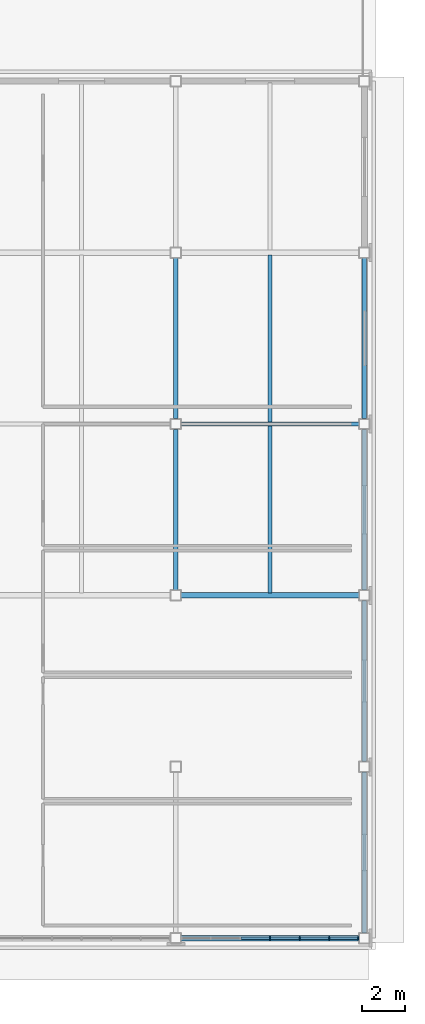
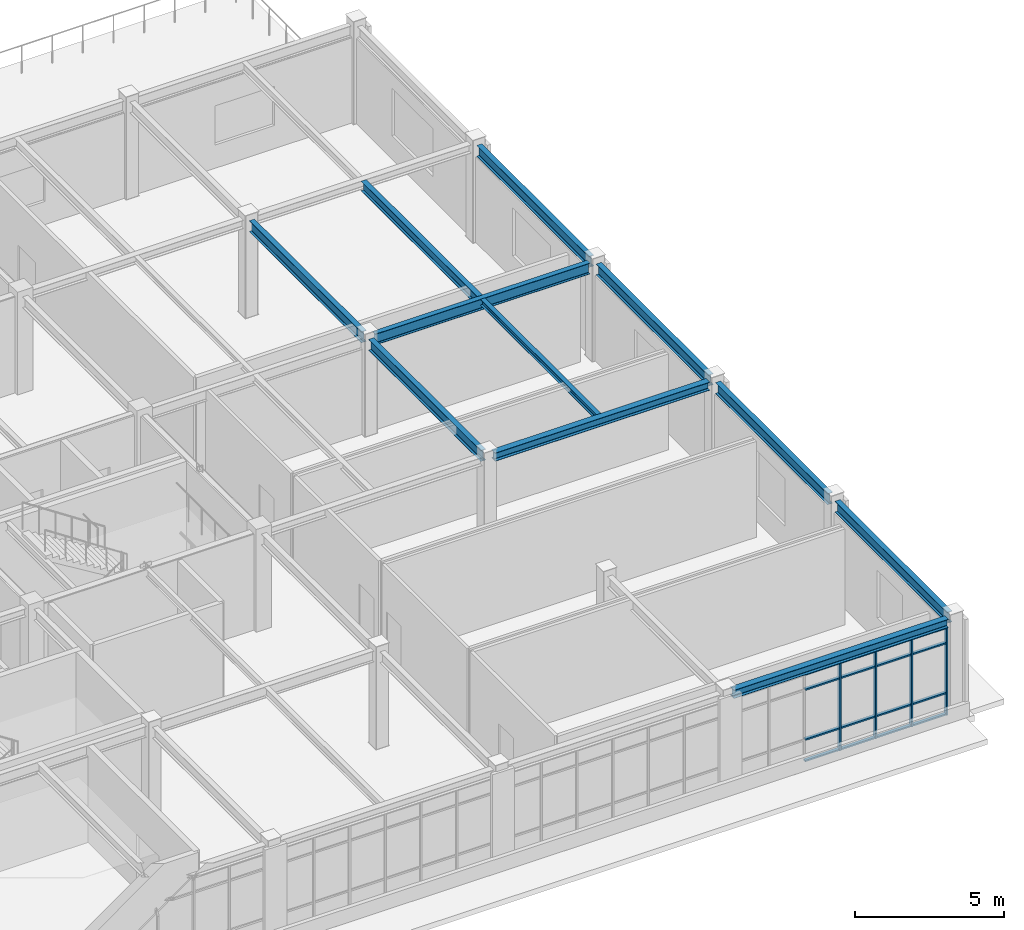
# One storey, part 7 of 22: 20 members, 11 beams, 1 element without a shape of its own.
"""IFC4 building model written with IfcOpenShell, lengths in metres."""

import ifcopenshell
import ifcopenshell.guid

model = None  # the IFC model being written
_history = None  # IfcOwnerHistory: only IFC2X3 demands one
_inside = {}  # id of a spatial element -> (the spatial element, [elements in it])
_under = {}  # id of a project, library or spatial element -> (it, [spatial elements below it])
_declared = {}  # id of a project -> (the project, [libraries it declares])
_typed = {}  # id of a type object -> (the type object, [elements of that type])
_made_of = {}  # id of a material, layer set ... -> (it, [elements and type objects made of it])


def new_model(schema):
    """Start an empty IFC model of exactly this schema.

    Asked for "IFC4X3", IfcOpenShell would pick the latest addendum, in which some entities
    have other attributes; the version numbers below select the first issue.
    IFC2X3 requires an IfcOwnerHistory on every rooted entity: one is made here for all.
    """
    global model, _history
    if schema == "IFC4X3":
        model = ifcopenshell.file(schema_version=(4, 3, 0, 0))
    else:
        model = ifcopenshell.file(schema=schema)
    _inside.clear()
    _under.clear()
    _declared.clear()
    _typed.clear()
    _made_of.clear()
    _history = None
    if model.schema == "IFC2X3":
        org = make("IfcOrganization", Name="unknown")
        user = make(
            "IfcPersonAndOrganization",
            ThePerson=make("IfcPerson", FamilyName="unknown"),
            TheOrganization=org,
        )
        app = make(
            "IfcApplication",
            ApplicationDeveloper=org,
            Version="unknown",
            ApplicationFullName="unknown",
            ApplicationIdentifier="unknown",
        )
        _history = make(
            "IfcOwnerHistory",
            OwningUser=user,
            OwningApplication=app,
            ChangeAction="ADDED",
            CreationDate=0,
        )
    return model


def make(cls, **values):
    """One entity of the class cls with the attributes given. An attribute that is None is left unset."""
    return model.create_entity(
        cls, **{name: value for name, value in values.items() if value is not None}
    )


def rooted(cls, **values):
    """An entity with a GlobalId (a new one), such as an element, a storey or a relation."""
    return make(cls, GlobalId=ifcopenshell.guid.new(), OwnerHistory=_history, **values)


def si_unit(unit_type, name, prefix=None):
    """IfcSIUnit, for example si_unit("LENGTHUNIT", "METRE", prefix="MILLI")."""
    return make("IfcSIUnit", UnitType=unit_type, Prefix=prefix, Name=name)


def assignment(units):
    """IfcUnitAssignment: the units of a project."""
    return None if units is None else make("IfcUnitAssignment", Units=units)


def point(xyz):
    """IfcCartesianPoint."""
    return None if xyz is None else make("IfcCartesianPoint", Coordinates=xyz)


def direction(xyz):
    """IfcDirection."""
    return None if xyz is None else make("IfcDirection", DirectionRatios=xyz)


def frame(location, z_axis=None, x_axis=None):
    """IfcAxis2Placement3D, a coordinate frame: its origin and axes. An axis left out is left unset."""
    return make(
        "IfcAxis2Placement3D",
        Location=point(location),
        Axis=direction(z_axis),
        RefDirection=direction(x_axis),
    )


def frame_2d(location, x_axis=None):
    """IfcAxis2Placement2D, a coordinate frame in the plane: its origin and x axis."""
    return make(
        "IfcAxis2Placement2D", Location=point(location), RefDirection=direction(x_axis)
    )


def origin():
    """The frame at (0, 0, 0) with its axes left unset."""
    return frame((0.0, 0.0, 0.0))


def origin_2d():
    """The frame at (0, 0) in the plane with its x axis left unset."""
    return frame_2d((0.0, 0.0))


def place(relative_to, where):
    """IfcLocalPlacement: puts the frame where relative to a parent placement (None: the world)."""
    return make(
        "IfcLocalPlacement", PlacementRelTo=relative_to, RelativePlacement=where
    )


def context(
    kind, dimensions, precision=None, world=None, true_north=None, identifier=None
):
    """IfcGeometricRepresentationContext, for example the 3D "Model" context."""
    return make(
        "IfcGeometricRepresentationContext",
        ContextIdentifier=identifier,
        ContextType=kind,
        CoordinateSpaceDimension=dimensions,
        Precision=precision,
        WorldCoordinateSystem=world,
        TrueNorth=true_north,
    )


def subcontext(parent, identifier, kind, view, scale=None):
    """IfcGeometricRepresentationSubContext, for example "Body" below "Model"."""
    return make(
        "IfcGeometricRepresentationSubContext",
        ContextIdentifier=identifier,
        ContextType=kind,
        ParentContext=parent,
        TargetScale=scale,
        TargetView=view,
    )


def project(units=None, contexts=None):
    """IfcProject with its units and contexts."""
    return rooted(
        "IfcProject",
        Name="project",
        RepresentationContexts=contexts,
        UnitsInContext=assignment(units),
    )


def spatial(cls, under=None, at=None, **own):
    """A site, building, storey or space (cls), placed at a placement, below another one or the project."""
    s = rooted(cls, ObjectPlacement=at, **own)
    if under is not None:
        _under.setdefault(under.id(), (under, []))[1].append(s)
    return s


def profile(cls, at=None, kind="AREA", **sizes):
    """A parametric profile (cls). Its sizes go by their IFC names, for example OverallWidth=200.0."""
    return make(cls, ProfileType=kind, Position=at, **sizes)


def rectangle(**sizes):
    """IfcRectangleProfileDef."""
    return profile("IfcRectangleProfileDef", **sizes)


def i_section(**sizes):
    """IfcIShapeProfileDef."""
    return profile("IfcIShapeProfileDef", **sizes)


def extrude(swept, where, along, depth):
    """IfcExtrudedAreaSolid: the profile swept, set in the frame where, extruded along a direction by depth."""
    return make(
        "IfcExtrudedAreaSolid",
        SweptArea=swept,
        Position=where,
        ExtrudedDirection=direction(along),
        Depth=depth,
    )


def shape(context_of_items, identifier, shape_type, items):
    """IfcShapeRepresentation: the items that make up one representation, for example the "Body"."""
    return make(
        "IfcShapeRepresentation",
        ContextOfItems=context_of_items,
        RepresentationIdentifier=identifier,
        RepresentationType=shape_type,
        Items=items,
    )


def material(Name=None, Category=None):
    """IfcMaterial."""
    return make("IfcMaterial", Name=Name, Category=Category)


def material_profile(
    of_material, cross_section, Name=None, Category=None, Priority=None
):
    """IfcMaterialProfile: a cross section and its material."""
    return make(
        "IfcMaterialProfile",
        Name=Name,
        Material=of_material,
        Profile=cross_section,
        Priority=Priority,
        Category=Category,
    )


def profile_set(profiles, Name=None, composite=None):
    """IfcMaterialProfileSet."""
    return make(
        "IfcMaterialProfileSet",
        Name=Name,
        MaterialProfiles=profiles,
        CompositeProfile=composite,
    )


def made_of(thing, what):
    """Note that an element or type object is made of a material, layer set ...; save() writes the relation."""
    if what is not None:
        _made_of.setdefault(what.id(), (what, []))[1].append(thing)
    return thing


def type_object(cls, material=None, **own):
    """A type object (cls), such as IfcWallType, which elements share."""
    return made_of(rooted(cls, **own), material)


def element(
    cls,
    number,
    at=None,
    inside=None,
    cuts=None,
    type_object=None,
    material=None,
    context=None,
    identifier="Body",
    shape_type=None,
    held_by="IfcProductDefinitionShape",
    body=None,
    shapes=None,
    **own,
):
    """One element of the class cls, such as IfcWall. Its Tag is "e" and its number.

    at: its placement. inside: the storey or other place that contains it. cuts: it is an
    opening in that element (IfcRelVoidsElement). A single representation is given by context,
    identifier, shape_type and body (its items); several are given by shapes. held_by: the class
    of the entity that holds the representations. save() writes the other relations.
    """
    e = rooted(cls, Tag="e%d" % number, ObjectPlacement=at, **own)
    if body is not None:
        shapes = [shape(context, identifier, shape_type, body)]
    if shapes is not None:
        e.Representation = make(held_by, Representations=shapes)
    if inside is not None:
        _inside.setdefault(inside.id(), (inside, []))[1].append(e)
    if cuts is not None:
        rooted(
            "IfcRelVoidsElement", RelatingBuildingElement=cuts, RelatedOpeningElement=e
        )
    if type_object is not None:
        _typed.setdefault(type_object.id(), (type_object, []))[1].append(e)
    return made_of(e, material)


def aggregate(whole, parts):
    """IfcRelAggregates: a whole, such as a stair, and the parts it consists of."""
    return rooted("IfcRelAggregates", RelatingObject=whole, RelatedObjects=parts)


def save(model, path):
    """Write the relations noted so far, then the file.

    IfcRelAggregates (storeys below a building ...), IfcRelContainedInSpatialStructure (elements
    in a storey), IfcRelDefinesByType, IfcRelAssociatesMaterial and IfcRelDeclares: one each for
    every whole, place, type object, material and project.
    """
    for whole, parts in _under.values():
        aggregate(whole, parts)
    for where, things in _inside.values():
        rooted(
            "IfcRelContainedInSpatialStructure",
            RelatedElements=things,
            RelatingStructure=where,
        )
    for kind, things in _typed.values():
        rooted("IfcRelDefinesByType", RelatedObjects=things, RelatingType=kind)
    for what, things in _made_of.values():
        rooted("IfcRelAssociatesMaterial", RelatedObjects=things, RelatingMaterial=what)
    for by, libraries in _declared.values():
        rooted("IfcRelDeclares", RelatingContext=by, RelatedDefinitions=libraries)
    model.write(path)


model = new_model("IFC4")

# Units and contexts
model_context = context("Model", 3, precision=1e-05, world=origin(), true_north=direction((0.0, 1.0)))
body_context = subcontext(model_context, "Body", "Model", "MODEL_VIEW")
ifc_project = project(units=[si_unit("LENGTHUNIT", "METRE"), si_unit("AREAUNIT", "SQUARE_METRE"), si_unit("VOLUMEUNIT", "CUBIC_METRE"), si_unit("PLANEANGLEUNIT", "RADIAN"), si_unit("MASSUNIT", "GRAM", prefix="KILO")], contexts=[model_context])

# Site, building, storey
site_placement = place(None, origin())
site = spatial("IfcSite", under=ifc_project, at=site_placement, CompositionType="ELEMENT")
building_placement = place(site_placement, origin())
building = spatial("IfcBuilding", under=site, at=building_placement, Name="Zhaolan Boulevard Law Courts", CompositionType="ELEMENT")
storey_placement = place(building_placement, frame((0.0, 0.0, 28.800048828125)))
storey = spatial("IfcBuildingStorey", under=building, at=storey_placement, Name="L06", CompositionType="ELEMENT", Elevation=28.800048828125)

# Curtain wall, members
ifc_material_1 = material(Name="Thermally broken aluminium and low-E glazing", Category="aluminium")
curtain_wall_type = type_object("IfcCurtainWallType", Name="CURTAIN WALL M12", PredefinedType="USERDEFINED", material=ifc_material_1)
curtain_wall_placement = place(storey_placement, origin())
curtain_wall = element("IfcCurtainWall", 1, at=curtain_wall_placement, inside=storey, type_object=curtain_wall_type, Name="Curtain Wall CW-L06-228", ObjectType="CURTAIN WALL", PredefinedType="USERDEFINED")
ifc_material_2 = material(Name="Fluorocarbon-coated aluminium 6063-T6", Category="aluminium")
ifc_material_profile_1 = material_profile(ifc_material_2, rectangle(XDim=0.159912109375, YDim=0.06005859375, at=origin_2d()), Name="AL60x160")
ifc_profile_set_1 = profile_set([ifc_material_profile_1], Name="Fluorocarbon-coated aluminium 6063-T6")
member_type_1 = type_object("IfcMemberType", Name="CWMULLION 60X160", PredefinedType="MULLION", material=ifc_profile_set_1)
member_1_placement = place(storey_placement, frame((39.60009765625, 30.0, 0.0), z_axis=(0.0, 0.0, 1.0), x_axis=(0.0, 1.0, 0.0)))
member_1 = element("IfcMember", 2, at=member_1_placement, type_object=member_type_1, Name="CW-L06-228 mullion 4", PredefinedType="MULLION", context=body_context, shape_type="SweptSolid", body=[
    extrude(rectangle(XDim=0.159912109375, YDim=0.06005859375, at=origin_2d()), origin(), (0.0, 0.0, 1.0), 3.593017578125),
])
member_2_placement = place(storey_placement, frame((40.982666015625, 30.0, 0.0), z_axis=(0.0, 0.0, 1.0), x_axis=(0.0, 1.0, 0.0)))
member_2 = element("IfcMember", 3, at=member_2_placement, type_object=member_type_1, Name="CW-L06-228 mullion 5", PredefinedType="MULLION", context=body_context, shape_type="SweptSolid", body=[
    extrude(rectangle(XDim=0.159912109375, YDim=0.06005859375, at=origin_2d()), origin(), (0.0, 0.0, 1.0), 3.593017578125),
])
member_3_placement = place(storey_placement, frame((42.365234375, 30.0, 0.0), z_axis=(0.0, 0.0, 1.0), x_axis=(0.0, 1.0, 0.0)))
member_3 = element("IfcMember", 4, at=member_3_placement, type_object=member_type_1, Name="CW-L06-228 mullion 6", PredefinedType="MULLION", context=body_context, shape_type="SweptSolid", body=[
    extrude(rectangle(XDim=0.159912109375, YDim=0.06005859375, at=origin_2d()), origin(), (0.0, 0.0, 1.0), 3.593017578125),
])
member_4_placement = place(storey_placement, frame((43.718017578125, 30.0, 0.0), z_axis=(0.0, 0.0, 1.0), x_axis=(0.0, 1.0, 0.0)))
member_4 = element("IfcMember", 5, at=member_4_placement, type_object=member_type_1, Name="CW-L06-228 mullion 7", PredefinedType="MULLION", context=body_context, shape_type="SweptSolid", body=[
    extrude(rectangle(XDim=0.159912109375, YDim=0.06005859375, at=origin_2d()), origin(), (0.0, 0.0, 1.0), 3.593017578125),
])
ifc_material_3 = material(Name="Fluorocarbon-coated aluminium 6063-T6", Category="aluminium")
ifc_material_profile_2 = material_profile(ifc_material_3, rectangle(XDim=0.1201171875, YDim=0.06005859375, at=origin_2d()), Name="AL60x120")
ifc_profile_set_2 = profile_set([ifc_material_profile_2], Name="Fluorocarbon-coated aluminium 6063-T6")
member_type_2 = type_object("IfcMemberType", Name="CWTRANSOM 60X120", PredefinedType="USERDEFINED", material=ifc_profile_set_2)
member_5_placement = place(storey_placement, frame((38.247314453125, 30.0, 0.030029296875), z_axis=(1.0, 0.0, 0.0), x_axis=(0.0, 1.0, 0.0)))
member_5 = element("IfcMember", 6, at=member_5_placement, type_object=member_type_2, Name="CW-L06-228 transom 3.1", ObjectType="TRANSOM", PredefinedType="USERDEFINED", context=body_context, shape_type="SweptSolid", body=[
    extrude(rectangle(XDim=0.1201171875, YDim=0.06005859375, at=origin_2d()), origin(), (0.0, 0.0, 1.0), 1.32275390625),
])
member_6_placement = place(storey_placement, frame((38.247314453125, 30.0, 0.89990234375), z_axis=(1.0, 0.0, 0.0), x_axis=(0.0, 1.0, 0.0)))
member_6 = element("IfcMember", 7, at=member_6_placement, type_object=member_type_2, Name="CW-L06-228 transom 3.2", ObjectType="TRANSOM", PredefinedType="USERDEFINED", context=body_context, shape_type="SweptSolid", body=[
    extrude(rectangle(XDim=0.1201171875, YDim=0.06005859375, at=origin_2d()), origin(), (0.0, 0.0, 1.0), 1.32275390625),
])
member_7_placement = place(storey_placement, frame((38.247314453125, 30.0, 2.94287109375), z_axis=(1.0, 0.0, 0.0), x_axis=(0.0, 1.0, 0.0)))
member_7 = element("IfcMember", 8, at=member_7_placement, type_object=member_type_2, Name="CW-L06-228 transom 3.3", ObjectType="TRANSOM", PredefinedType="USERDEFINED", context=body_context, shape_type="SweptSolid", body=[
    extrude(rectangle(XDim=0.1201171875, YDim=0.06005859375, at=origin_2d()), origin(), (0.0, 0.0, 1.0), 1.32275390625),
])
member_8_placement = place(storey_placement, frame((38.247314453125, 30.0, 3.56298828125), z_axis=(1.0, 0.0, 0.0), x_axis=(0.0, 1.0, 0.0)))
member_8 = element("IfcMember", 9, at=member_8_placement, type_object=member_type_2, Name="CW-L06-228 transom 3.4", ObjectType="TRANSOM", PredefinedType="USERDEFINED", context=body_context, shape_type="SweptSolid", body=[
    extrude(rectangle(XDim=0.1201171875, YDim=0.06005859375, at=origin_2d()), origin(), (0.0, 0.0, 1.0), 1.32275390625),
])
member_9_placement = place(storey_placement, frame((39.6298828125, 30.0, 0.030029296875), z_axis=(1.0, 0.0, 0.0), x_axis=(0.0, 1.0, 0.0)))
member_9 = element("IfcMember", 10, at=member_9_placement, type_object=member_type_2, Name="CW-L06-228 transom 4.1", ObjectType="TRANSOM", PredefinedType="USERDEFINED", context=body_context, shape_type="SweptSolid", body=[
    extrude(rectangle(XDim=0.1201171875, YDim=0.06005859375, at=origin_2d()), origin(), (0.0, 0.0, 1.0), 1.32275390625),
])
member_10_placement = place(storey_placement, frame((39.6298828125, 30.0, 0.89990234375), z_axis=(1.0, 0.0, 0.0), x_axis=(0.0, 1.0, 0.0)))
member_10 = element("IfcMember", 11, at=member_10_placement, type_object=member_type_2, Name="CW-L06-228 transom 4.2", ObjectType="TRANSOM", PredefinedType="USERDEFINED", context=body_context, shape_type="SweptSolid", body=[
    extrude(rectangle(XDim=0.1201171875, YDim=0.06005859375, at=origin_2d()), origin(), (0.0, 0.0, 1.0), 1.32275390625),
])
member_11_placement = place(storey_placement, frame((39.6298828125, 30.0, 2.94287109375), z_axis=(1.0, 0.0, 0.0), x_axis=(0.0, 1.0, 0.0)))
member_11 = element("IfcMember", 12, at=member_11_placement, type_object=member_type_2, Name="CW-L06-228 transom 4.3", ObjectType="TRANSOM", PredefinedType="USERDEFINED", context=body_context, shape_type="SweptSolid", body=[
    extrude(rectangle(XDim=0.1201171875, YDim=0.06005859375, at=origin_2d()), origin(), (0.0, 0.0, 1.0), 1.32275390625),
])
member_12_placement = place(storey_placement, frame((39.6298828125, 30.0, 3.56298828125), z_axis=(1.0, 0.0, 0.0), x_axis=(0.0, 1.0, 0.0)))
member_12 = element("IfcMember", 13, at=member_12_placement, type_object=member_type_2, Name="CW-L06-228 transom 4.4", ObjectType="TRANSOM", PredefinedType="USERDEFINED", context=body_context, shape_type="SweptSolid", body=[
    extrude(rectangle(XDim=0.1201171875, YDim=0.06005859375, at=origin_2d()), origin(), (0.0, 0.0, 1.0), 1.32275390625),
])
member_13_placement = place(storey_placement, frame((41.0126953125, 30.0, 0.030029296875), z_axis=(1.0, 0.0, 0.0), x_axis=(0.0, 1.0, 0.0)))
member_13 = element("IfcMember", 14, at=member_13_placement, type_object=member_type_2, Name="CW-L06-228 transom 5.1", ObjectType="TRANSOM", PredefinedType="USERDEFINED", context=body_context, shape_type="SweptSolid", body=[
    extrude(rectangle(XDim=0.1201171875, YDim=0.06005859375, at=origin_2d()), origin(), (0.0, 0.0, 1.0), 1.32275390625),
])
member_14_placement = place(storey_placement, frame((41.0126953125, 30.0, 0.89990234375), z_axis=(1.0, 0.0, 0.0), x_axis=(0.0, 1.0, 0.0)))
member_14 = element("IfcMember", 15, at=member_14_placement, type_object=member_type_2, Name="CW-L06-228 transom 5.2", ObjectType="TRANSOM", PredefinedType="USERDEFINED", context=body_context, shape_type="SweptSolid", body=[
    extrude(rectangle(XDim=0.1201171875, YDim=0.06005859375, at=origin_2d()), origin(), (0.0, 0.0, 1.0), 1.32275390625),
])
member_15_placement = place(storey_placement, frame((41.0126953125, 30.0, 2.94287109375), z_axis=(1.0, 0.0, 0.0), x_axis=(0.0, 1.0, 0.0)))
member_15 = element("IfcMember", 16, at=member_15_placement, type_object=member_type_2, Name="CW-L06-228 transom 5.3", ObjectType="TRANSOM", PredefinedType="USERDEFINED", context=body_context, shape_type="SweptSolid", body=[
    extrude(rectangle(XDim=0.1201171875, YDim=0.06005859375, at=origin_2d()), origin(), (0.0, 0.0, 1.0), 1.32275390625),
])
member_16_placement = place(storey_placement, frame((41.0126953125, 30.0, 3.56298828125), z_axis=(1.0, 0.0, 0.0), x_axis=(0.0, 1.0, 0.0)))
member_16 = element("IfcMember", 17, at=member_16_placement, type_object=member_type_2, Name="CW-L06-228 transom 5.4", ObjectType="TRANSOM", PredefinedType="USERDEFINED", context=body_context, shape_type="SweptSolid", body=[
    extrude(rectangle(XDim=0.1201171875, YDim=0.06005859375, at=origin_2d()), origin(), (0.0, 0.0, 1.0), 1.32275390625),
])
member_17_placement = place(storey_placement, frame((42.395263671875, 30.0, 0.030029296875), z_axis=(1.0, 0.0, 0.0), x_axis=(0.0, 1.0, 0.0)))
member_17 = element("IfcMember", 18, at=member_17_placement, type_object=member_type_2, Name="CW-L06-228 transom 6.1", ObjectType="TRANSOM", PredefinedType="USERDEFINED", context=body_context, shape_type="SweptSolid", body=[
    extrude(rectangle(XDim=0.1201171875, YDim=0.06005859375, at=origin_2d()), origin(), (0.0, 0.0, 1.0), 1.292724609375),
])
member_18_placement = place(storey_placement, frame((42.395263671875, 30.0, 0.89990234375), z_axis=(1.0, 0.0, 0.0), x_axis=(0.0, 1.0, 0.0)))
member_18 = element("IfcMember", 19, at=member_18_placement, type_object=member_type_2, Name="CW-L06-228 transom 6.2", ObjectType="TRANSOM", PredefinedType="USERDEFINED", context=body_context, shape_type="SweptSolid", body=[
    extrude(rectangle(XDim=0.1201171875, YDim=0.06005859375, at=origin_2d()), origin(), (0.0, 0.0, 1.0), 1.292724609375),
])
member_19_placement = place(storey_placement, frame((42.395263671875, 30.0, 2.94287109375), z_axis=(1.0, 0.0, 0.0), x_axis=(0.0, 1.0, 0.0)))
member_19 = element("IfcMember", 20, at=member_19_placement, type_object=member_type_2, Name="CW-L06-228 transom 6.3", ObjectType="TRANSOM", PredefinedType="USERDEFINED", context=body_context, shape_type="SweptSolid", body=[
    extrude(rectangle(XDim=0.1201171875, YDim=0.06005859375, at=origin_2d()), origin(), (0.0, 0.0, 1.0), 1.292724609375),
])
member_20_placement = place(storey_placement, frame((42.395263671875, 30.0, 3.56298828125), z_axis=(1.0, 0.0, 0.0), x_axis=(0.0, 1.0, 0.0)))
member_20 = element("IfcMember", 21, at=member_20_placement, type_object=member_type_2, Name="CW-L06-228 transom 6.4", ObjectType="TRANSOM", PredefinedType="USERDEFINED", context=body_context, shape_type="SweptSolid", body=[
    extrude(rectangle(XDim=0.1201171875, YDim=0.06005859375, at=origin_2d()), origin(), (0.0, 0.0, 1.0), 1.292724609375),
])
aggregate(curtain_wall, [member_1, member_2, member_3, member_4, member_5, member_6, member_7, member_8, member_9, member_10, member_11, member_12, member_13, member_14, member_15, member_16, member_17, member_18, member_19, member_20])

# Beams
ifc_material_4 = material(Name="Structural steel Q355B", Category="steel")
ifc_material_profile_3 = material_profile(ifc_material_4, i_section(OverallWidth=0.199951171875, OverallDepth=0.449951171875, WebThickness=0.009033203125, FlangeThickness=0.013916015625, FilletRadius=0.01611328125, at=origin_2d()), Name="HN450x200")
ifc_profile_set_3 = profile_set([ifc_material_profile_3], Name="Structural steel Q355B")
beam_type_1 = type_object("IfcBeamType", Name="GIRDER HN450", PredefinedType="BEAM", material=ifc_profile_set_3)
beam_1_placement = place(storey_placement, frame((35.446044921875, 54.0, 3.722900390625), z_axis=(1.0, 0.0, 0.0), x_axis=(0.0, 1.0, 0.0)))
element("IfcBeam", 22, at=beam_1_placement, inside=storey, type_object=beam_type_1, Name="Beam BX-L07-5-6-H", PredefinedType="BEAM", context=body_context, shape_type="SweptSolid", body=[
    extrude(i_section(OverallWidth=0.199951171875, OverallDepth=0.449951171875, WebThickness=0.009033203125, FlangeThickness=0.013916015625, FilletRadius=0.01611328125, at=origin_2d()), origin(), (0.0, 0.0, 1.0), 8.307861328125),
])
for number, where, z_axis, x_axis, name in (
    (23, (35.199951171875, 46.24609375, 3.722900390625), (0.0, 1.0, 0.0), (-1.0, 0.0, 0.0), "Beam BY-L07-5-G-H"),
    (24, (35.199951171875, 54.24609375, 3.722900390625), (0.0, 1.0, 0.0), (-1.0, 0.0, 0.0), "Beam BY-L07-5-H-J"),
    (25, (44.0, 30.24609375, 3.722900390625), (0.0, 1.0, 0.0), (-1.0, 0.0, 0.0), "Beam BY-L07-6-E-F"),
    (26, (44.0, 38.24609375, 3.722900390625), (0.0, 1.0, 0.0), (-1.0, 0.0, 0.0), "Beam BY-L07-6-F-G"),
    (27, (44.0, 46.24609375, 3.722900390625), (0.0, 1.0, 0.0), (-1.0, 0.0, 0.0), "Beam BY-L07-6-G-H"),
    (28, (44.0, 54.24609375, 3.722900390625), (0.0, 1.0, 0.0), (-1.0, 0.0, 0.0), "Beam BY-L07-6-H-J"),
):
    element("IfcBeam", number, at=place(storey_placement, frame(where, z_axis=z_axis, x_axis=x_axis)), inside=storey, type_object=beam_type_1, Name=name, PredefinedType="BEAM", context=body_context, shape_type="SweptSolid", body=[
        extrude(i_section(OverallWidth=0.199951171875, OverallDepth=0.449951171875, WebThickness=0.009033203125, FlangeThickness=0.013916015625, FilletRadius=0.01611328125, at=origin_2d()), origin(), (0.0, 0.0, 1.0), 7.5078125),
    ])
ifc_material_5 = material(Name="Structural steel Q355B", Category="steel")
ifc_material_profile_4 = material_profile(ifc_material_5, i_section(OverallWidth=0.175048828125, OverallDepth=0.243896484375, WebThickness=0.007080078125, FlangeThickness=0.010986328125, FilletRadius=0.012939453125, at=origin_2d()), Name="HM244x175")
ifc_profile_set_4 = profile_set([ifc_material_profile_4], Name="Structural steel Q355B")
beam_type_2 = type_object("IfcBeamType", Name="JOIST HM244", PredefinedType="JOIST", material=ifc_profile_set_4)
beam_2_placement = place(storey_placement, frame((39.60009765625, 46.12109375, 3.825927734375), z_axis=(0.0, 1.0, 0.0), x_axis=(-1.0, 0.0, 0.0)))
element("IfcBeam", 29, at=beam_2_placement, inside=storey, type_object=beam_type_2, Name="Composite Joist J-L07-5G", PredefinedType="JOIST", context=body_context, shape_type="SweptSolid", body=[
    extrude(i_section(OverallWidth=0.175048828125, OverallDepth=0.243896484375, WebThickness=0.007080078125, FlangeThickness=0.010986328125, FilletRadius=0.012939453125, at=origin_2d()), origin(), (0.0, 0.0, 1.0), 7.782958984375),
])
ifc_material_6 = material(Name="Structural steel Q355B", Category="steel")
ifc_material_profile_5 = material_profile(ifc_material_6, i_section(OverallWidth=0.199951171875, OverallDepth=0.39990234375, WebThickness=0.008056640625, FlangeThickness=0.012939453125, FilletRadius=0.013916015625, at=origin_2d()), Name="HN400x200")
ifc_profile_set_5 = profile_set([ifc_material_profile_5], Name="Structural steel Q355B")
beam_type_3 = type_object("IfcBeamType", Name="JOIST HN400", PredefinedType="JOIST", material=ifc_profile_set_5)
beam_3_placement = place(storey_placement, frame((39.60009765625, 54.095947265625, 3.748046875), z_axis=(0.0, 1.0, 0.0), x_axis=(-1.0, 0.0, 0.0)))
element("IfcBeam", 30, at=beam_3_placement, inside=storey, type_object=beam_type_3, Name="Composite Joist J-L07-5H", PredefinedType="JOIST", context=body_context, shape_type="SweptSolid", body=[
    extrude(i_section(OverallWidth=0.199951171875, OverallDepth=0.39990234375, WebThickness=0.008056640625, FlangeThickness=0.012939453125, FilletRadius=0.013916015625, at=origin_2d()), origin(), (0.0, 0.0, 1.0), 7.782958984375),
])
ifc_material_7 = material(Name="Structural steel Q355B", Category="steel")
ifc_material_profile_6 = material_profile(ifc_material_7, i_section(OverallWidth=0.25, OverallDepth=0.340087890625, WebThickness=0.009033203125, FlangeThickness=0.013916015625, FilletRadius=0.01611328125, at=origin_2d()), Name="HM340x250")
ifc_profile_set_6 = profile_set([ifc_material_profile_6], Name="Structural steel Q355B")
beam_type_4 = type_object("IfcBeamType", Name="SPANDREL HM340", PredefinedType="SPANDREL", material=ifc_profile_set_6)
for number, where, z_axis, x_axis, name in (
    (31, (35.446044921875, 30.0, 3.77783203125), (1.0, 0.0, 0.0), (0.0, 1.0, 0.0), "Beam BX-L07-5-6-E"),
    (32, (35.446044921875, 46.0, 3.77783203125), (1.0, 0.0, 0.0), (0.0, 1.0, 0.0), "Beam BX-L07-5-6-G"),
):
    element("IfcBeam", number, at=place(storey_placement, frame(where, z_axis=z_axis, x_axis=x_axis)), inside=storey, type_object=beam_type_4, Name=name, PredefinedType="SPANDREL", context=body_context, shape_type="SweptSolid", body=[
        extrude(i_section(OverallWidth=0.25, OverallDepth=0.340087890625, WebThickness=0.009033203125, FlangeThickness=0.013916015625, FilletRadius=0.01611328125, at=origin_2d()), origin(), (0.0, 0.0, 1.0), 8.307861328125),
    ])

save(model, "model.ifc")
